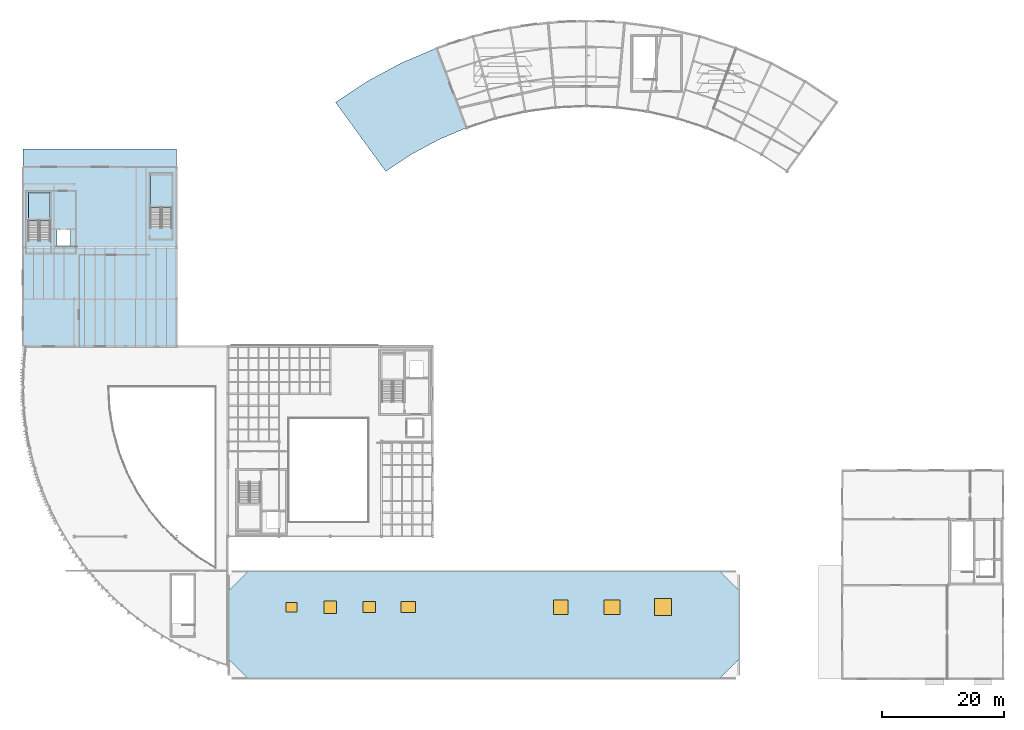
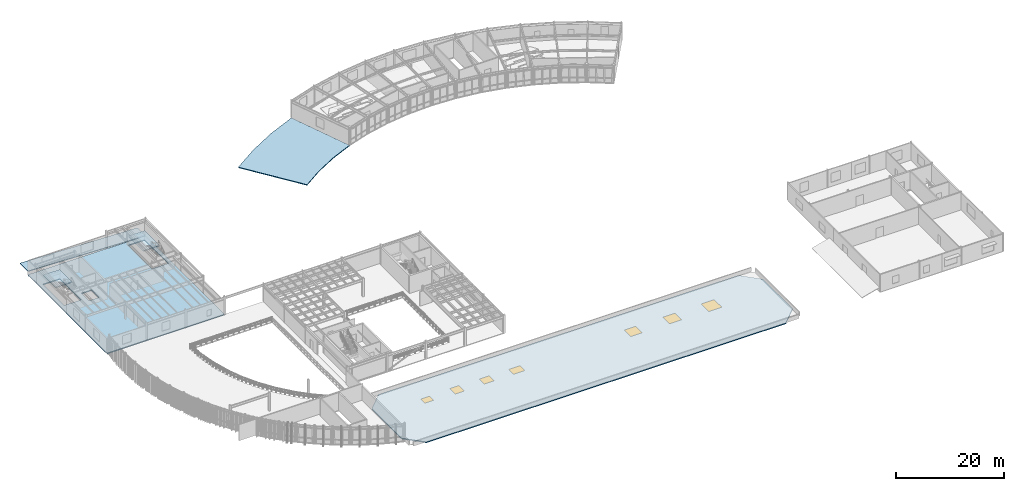
# One storey, part 31 of 54: 7 windows, 6 slabs, 7 openings, 2 elements without a shape of their own.
"""IFC4 building model written with IfcOpenShell, lengths in metres."""

from ifc_helpers import new_model, si_unit, direction, frame, origin, origin_2d, place, context, subcontext, project, spatial, polyline, rectangle, outline, extrude, material, layer, layer_set, type_object, element, fill, aggregate, save


model = new_model("IFC4")

# Units and contexts
model_context = context("Model", 3, precision=1e-05, world=origin(), true_north=direction((0.0, 1.0)))
body_context = subcontext(model_context, "Body", "Model", "MODEL_VIEW")
ifc_project = project(units=[si_unit("LENGTHUNIT", "METRE"), si_unit("AREAUNIT", "SQUARE_METRE"), si_unit("VOLUMEUNIT", "CUBIC_METRE"), si_unit("PLANEANGLEUNIT", "RADIAN"), si_unit("MASSUNIT", "GRAM", prefix="KILO")], contexts=[model_context])

# Site, building, storey
site_placement = place(None, origin())
site = spatial("IfcSite", under=ifc_project, at=site_placement, CompositionType="ELEMENT")
building_placement = place(site_placement, origin())
building = spatial("IfcBuilding", under=site, at=building_placement, Name="Selat Folded Stagehouse", CompositionType="ELEMENT")
storey_placement = place(building_placement, frame((0.0, 0.0, 15.0)))
storey = spatial("IfcBuildingStorey", under=building, at=storey_placement, Name="L03", CompositionType="ELEMENT", Elevation=15.0)

# Slabs
ifc_material_1 = material(Name="Concrete C40/50", Category="concrete")
ifc_layer_1 = layer(ifc_material_1, 0.219970703125)
ifc_layer_set_1 = layer_set([ifc_layer_1], Name="Concrete C40/50")
slab_type_1 = type_object("IfcSlabType", Name="SLAB-FLR-220", PredefinedType="FLOOR", material=ifc_layer_set_1)
slab_1_placement = place(storey_placement, frame((0.0, 0.0, -0.219970703125)))
element("IfcSlab", 1, at=slab_1_placement, inside=storey, type_object=slab_type_1, Name="L03 V4 floor slab SL-L03-V4", PredefinedType="FLOOR", context=body_context, shape_type="SweptSolid", body=[
    extrude(outline(polyline([(0.0, 54.60009765625), (25.199951171875, 54.60009765625), (25.199951171875, 84.0), (0.0, 84.0), (0.0, 54.60009765625)]), holes=[polyline([(7.75, 71.0), (5.550048828125, 71.0), (5.550048828125, 73.800048828125), (7.75, 73.800048828125), (7.75, 71.0)]), polyline([(0.85009765625, 72.0), (0.85009765625, 79.919921875), (4.449951171875, 79.919921875), (4.449951171875, 72.0), (0.85009765625, 72.0)]), polyline([(20.89990234375, 74.139892578125), (20.89990234375, 82.949951171875), (24.419921875, 82.949951171875), (24.419921875, 74.139892578125), (20.89990234375, 74.139892578125)])]), origin(), (0.0, 0.0, 1.0), 0.219970703125),
])
ifc_layer_2 = layer(ifc_material_1, 0.175048828125)
ifc_layer_set_2 = layer_set([ifc_layer_2], Name="Concrete C40/50")
slab_type_2 = type_object("IfcSlabType", Name="SLAB-ROOF-175", PredefinedType="ROOF", material=ifc_layer_set_2)
slab_2_placement = place(storey_placement, frame((0.0, 0.0, -0.175048828125)))
element("IfcSlab", 2, at=slab_2_placement, inside=storey, type_object=slab_type_2, Name="L03 V6 roof slab RF-L03-V6W", PredefinedType="ROOF", context=body_context, shape_type="SweptSolid", body=[
    extrude(outline(polyline([(59.48388671875, 83.304931640625), (63.677490234375, 86.072998046875), (68.1025390625, 88.454345703125), (72.722900390625, 90.42919921875), (67.8037109375, 103.536376953125), (62.028076171875, 101.06787109375), (56.4970703125, 98.09130859375), (51.2548828125, 94.631103515625), (59.48388671875, 83.304931640625)])), origin(), (0.0, 0.0, 1.0), 0.175048828125),
])

# Slab, openings, windows
ifc_layer_3 = layer(ifc_material_1, 0.22509765625)
ifc_layer_set_3 = layer_set([ifc_layer_3], Name="Concrete C40/50")
slab_type_3 = type_object("IfcSlabType", Name="SLAB-ROOF-225", PredefinedType="ROOF", material=ifc_layer_set_3)
slab_3_placement = place(storey_placement, frame((0.0, 0.0, -0.22509765625)))
slab_3 = element("IfcSlab", 3, at=slab_3_placement, inside=storey, type_object=slab_type_3, Name="L03 V5 roof slab RF-L03-V5-FOYER", PredefinedType="ROOF", context=body_context, shape_type="SweptSolid", body=[
    extrude(outline(polyline([(37.0, 0.0), (114.199951171875, 0.0), (117.60009765625, 3.39990234375), (117.60009765625, 14.39990234375), (114.199951171875, 17.800048828125), (37.0, 17.800048828125), (33.60009765625, 14.39990234375), (33.60009765625, 3.39990234375), (37.0, 0.0)])), origin(), (0.0, 0.0, 1.0), 0.22509765625),
])
opening_1_placement = place(slab_3_placement, frame((44.0, 11.800048828125, -0.010009765625)))
opening_1 = element("IfcOpeningElement", 4, at=opening_1_placement, cuts=slab_3, Name="Opening SK-07", PredefinedType="OPENING", context=body_context, shape_type="SweptSolid", body=[
    extrude(rectangle(XDim=1.800048828125, YDim=1.5, at=origin_2d()), origin(), (0.0, 0.0, 1.0), 0.2451171875),
])
opening_2_placement = place(slab_3_placement, frame((50.39990234375, 11.800048828125, -0.010009765625)))
opening_2 = element("IfcOpeningElement", 5, at=opening_2_placement, cuts=slab_3, Name="Opening SK-06", PredefinedType="OPENING", context=body_context, shape_type="SweptSolid", body=[
    extrude(rectangle(XDim=2.0, YDim=2.0, at=origin_2d()), origin(), (0.0, 0.0, 1.0), 0.2451171875),
])
opening_3_placement = place(slab_3_placement, frame((56.800048828125, 11.800048828125, -0.010009765625)))
opening_3 = element("IfcOpeningElement", 6, at=opening_3_placement, cuts=slab_3, Name="Opening SK-05", PredefinedType="OPENING", context=body_context, shape_type="SweptSolid", body=[
    extrude(rectangle(XDim=2.10009765625, YDim=1.800048828125, at=origin_2d()), origin(), (0.0, 0.0, 1.0), 0.2451171875),
])
opening_4_placement = place(slab_3_placement, frame((63.199951171875, 11.800048828125, -0.010009765625)))
opening_4 = element("IfcOpeningElement", 7, at=opening_4_placement, cuts=slab_3, Name="Opening SK-04", PredefinedType="OPENING", context=body_context, shape_type="SweptSolid", body=[
    extrude(rectangle(XDim=2.39990234375, YDim=1.800048828125, at=origin_2d()), origin(), (0.0, 0.0, 1.0), 0.2451171875),
])
opening_5_placement = place(slab_3_placement, frame((88.199951171875, 11.800048828125, -0.010009765625)))
opening_5 = element("IfcOpeningElement", 8, at=opening_5_placement, cuts=slab_3, Name="Opening SK-03", PredefinedType="OPENING", context=body_context, shape_type="SweptSolid", body=[
    extrude(rectangle(XDim=2.39990234375, YDim=2.39990234375, at=origin_2d()), origin(), (0.0, 0.0, 1.0), 0.2451171875),
])
opening_6_placement = place(slab_3_placement, frame((96.60009765625, 11.800048828125, -0.010009765625)))
opening_6 = element("IfcOpeningElement", 9, at=opening_6_placement, cuts=slab_3, Name="Opening SK-02", PredefinedType="OPENING", context=body_context, shape_type="SweptSolid", body=[
    extrude(rectangle(XDim=2.60009765625, YDim=2.39990234375, at=origin_2d()), origin(), (0.0, 0.0, 1.0), 0.2451171875),
])
opening_7_placement = place(slab_3_placement, frame((105.0, 11.800048828125, -0.010009765625)))
opening_7 = element("IfcOpeningElement", 10, at=opening_7_placement, cuts=slab_3, Name="Opening SK-01", PredefinedType="OPENING", context=body_context, shape_type="SweptSolid", body=[
    extrude(rectangle(XDim=2.800048828125, YDim=2.800048828125, at=origin_2d()), origin(), (0.0, 0.0, 1.0), 0.2451171875),
])
ifc_material_2 = material(Name="Laminated solar-control skylight glazing", Category="glass")
window_type_1 = type_object("IfcWindowType", Name="SKY-RF-1800x1500", PartitioningType="SINGLE_PANEL", PredefinedType="SKYLIGHT", material=ifc_material_2)
window_1_placement = place(slab_3_placement, frame((44.0, 11.800048828125, 0.1650390625)))
window_1 = element("IfcWindow", 11, at=window_1_placement, inside=storey, type_object=window_type_1, Name="Foyer roof skylight 01", OverallHeight=1.5, OverallWidth=1.800048828125, PartitioningType="SINGLE_PANEL", PredefinedType="SKYLIGHT", context=body_context, shape_type="SweptSolid", body=[
    extrude(rectangle(XDim=1.800048828125, YDim=1.5, at=origin_2d()), origin(), (0.0, 0.0, 1.0), 0.06005859375),
])
fill(opening_1, window_1)
window_type_2 = type_object("IfcWindowType", Name="SKY-RF-2000x2000", PartitioningType="SINGLE_PANEL", PredefinedType="SKYLIGHT", material=ifc_material_2)
window_2_placement = place(slab_3_placement, frame((50.39990234375, 11.800048828125, 0.1650390625)))
window_2 = element("IfcWindow", 12, at=window_2_placement, inside=storey, type_object=window_type_2, Name="Foyer roof skylight 02", OverallHeight=2.0, OverallWidth=2.0, PartitioningType="SINGLE_PANEL", PredefinedType="SKYLIGHT", context=body_context, shape_type="SweptSolid", body=[
    extrude(rectangle(XDim=2.0, YDim=2.0, at=origin_2d()), origin(), (0.0, 0.0, 1.0), 0.06005859375),
])
fill(opening_2, window_2)
window_type_3 = type_object("IfcWindowType", Name="SKY-RF-2100x1800", PartitioningType="SINGLE_PANEL", PredefinedType="SKYLIGHT", material=ifc_material_2)
window_3_placement = place(slab_3_placement, frame((56.800048828125, 11.800048828125, 0.1650390625)))
window_3 = element("IfcWindow", 13, at=window_3_placement, inside=storey, type_object=window_type_3, Name="Foyer roof skylight 03", OverallHeight=1.800048828125, OverallWidth=2.10009765625, PartitioningType="SINGLE_PANEL", PredefinedType="SKYLIGHT", context=body_context, shape_type="SweptSolid", body=[
    extrude(rectangle(XDim=2.10009765625, YDim=1.800048828125, at=origin_2d()), origin(), (0.0, 0.0, 1.0), 0.06005859375),
])
fill(opening_3, window_3)
window_type_4 = type_object("IfcWindowType", Name="SKY-RF-2400x1800", PartitioningType="SINGLE_PANEL", PredefinedType="SKYLIGHT", material=ifc_material_2)
window_4_placement = place(slab_3_placement, frame((63.199951171875, 11.800048828125, 0.1650390625)))
window_4 = element("IfcWindow", 14, at=window_4_placement, inside=storey, type_object=window_type_4, Name="Foyer roof skylight 04", OverallHeight=1.800048828125, OverallWidth=2.39990234375, PartitioningType="SINGLE_PANEL", PredefinedType="SKYLIGHT", context=body_context, shape_type="SweptSolid", body=[
    extrude(rectangle(XDim=2.39990234375, YDim=1.800048828125, at=origin_2d()), origin(), (0.0, 0.0, 1.0), 0.06005859375),
])
fill(opening_4, window_4)
window_type_5 = type_object("IfcWindowType", Name="SKY-RF-2400x2400", PartitioningType="SINGLE_PANEL", PredefinedType="SKYLIGHT", material=ifc_material_2)
window_5_placement = place(slab_3_placement, frame((88.199951171875, 11.800048828125, 0.1650390625)))
window_5 = element("IfcWindow", 15, at=window_5_placement, inside=storey, type_object=window_type_5, Name="Foyer roof skylight 05", OverallHeight=2.39990234375, OverallWidth=2.39990234375, PartitioningType="SINGLE_PANEL", PredefinedType="SKYLIGHT", context=body_context, shape_type="SweptSolid", body=[
    extrude(rectangle(XDim=2.39990234375, YDim=2.39990234375, at=origin_2d()), origin(), (0.0, 0.0, 1.0), 0.06005859375),
])
fill(opening_5, window_5)
window_type_6 = type_object("IfcWindowType", Name="SKY-RF-2600x2400", PartitioningType="SINGLE_PANEL", PredefinedType="SKYLIGHT", material=ifc_material_2)
window_6_placement = place(slab_3_placement, frame((96.60009765625, 11.800048828125, 0.1650390625)))
window_6 = element("IfcWindow", 16, at=window_6_placement, inside=storey, type_object=window_type_6, Name="Foyer roof skylight 06", OverallHeight=2.39990234375, OverallWidth=2.60009765625, PartitioningType="SINGLE_PANEL", PredefinedType="SKYLIGHT", context=body_context, shape_type="SweptSolid", body=[
    extrude(rectangle(XDim=2.60009765625, YDim=2.39990234375, at=origin_2d()), origin(), (0.0, 0.0, 1.0), 0.06005859375),
])
fill(opening_6, window_6)
window_type_7 = type_object("IfcWindowType", Name="SKY-RF-2800x2800", PartitioningType="SINGLE_PANEL", PredefinedType="SKYLIGHT", material=ifc_material_2)
window_7_placement = place(slab_3_placement, frame((105.0, 11.800048828125, 0.1650390625)))
window_7 = element("IfcWindow", 17, at=window_7_placement, inside=storey, type_object=window_type_7, Name="Foyer roof skylight 07", OverallHeight=2.800048828125, OverallWidth=2.800048828125, PartitioningType="SINGLE_PANEL", PredefinedType="SKYLIGHT", context=body_context, shape_type="SweptSolid", body=[
    extrude(rectangle(XDim=2.800048828125, YDim=2.800048828125, at=origin_2d()), origin(), (0.0, 0.0, 1.0), 0.06005859375),
])
fill(opening_7, window_7)

# Slab
ifc_layer_4 = layer(ifc_material_1, 0.155029296875)
ifc_layer_set_4 = layer_set([ifc_layer_4], Name="Concrete C40/50")
slab_type_4 = type_object("IfcSlabType", Name="SLAB-ROOF-ST155", PredefinedType="ROOF", material=ifc_layer_set_4)
slab_4_placement = place(storey_placement, frame((0.0, 84.0, 0.800048828125), z_axis=(0.031732042956, 0.0, 0.999496411924), x_axis=(0.999496411924, 0.0, -0.031732042956)))
element("IfcSlab", 18, at=slab_4_placement, inside=storey, type_object=slab_type_4, Name="Sloped folded-plate roof facet RF-V4-NORTH", PredefinedType="ROOF", context=body_context, shape_type="SweptSolid", body=[
    extrude(outline(polyline([(0.0, 0.0), (25.21264796074122, 0.0), (25.21264796074122, 3.0), (0.0, 3.0), (0.0, 0.0)])), origin(), (0.0, 0.0, -1.0), 0.155029296875),
])

# Stair, slab
stair_type_1 = type_object("IfcStairType", Name="STR-DOG-1720-26R", PredefinedType="HALF_TURN_STAIR", material=ifc_material_1)
stair_1_placement = place(storey_placement, origin())
stair_1 = element("IfcStair", 19, at=stair_1_placement, inside=storey, type_object=stair_type_1, Name="L03 Core 5 Black-Box West Core", PredefinedType="HALF_TURN_STAIR")
ifc_layer_5 = layer(ifc_material_1, 0.199951171875)
ifc_layer_set_5 = layer_set([ifc_layer_5], Name="Concrete C40/50")
slab_type_5 = type_object("IfcSlabType", Name="SLAB-STR-LDG-200", PredefinedType="LANDING", material=ifc_layer_set_5)
slab_5_placement = place(storey_placement, frame((0.0, 0.0, 1.89990234375)))
slab_5 = element("IfcSlab", 20, at=slab_5_placement, type_object=slab_type_5, Name="ST-1720-26R landing 1", PredefinedType="LANDING", context=body_context, shape_type="SweptSolid", body=[
    extrude(outline(polyline([(4.449951171875, 75.260009765625), (4.449951171875, 79.919921875), (0.85009765625, 79.919921875), (0.85009765625, 75.260009765625), (4.449951171875, 75.260009765625)])), origin(), (0.0, 0.0, 1.0), 0.2001953125),
])
aggregate(stair_1, [slab_5])

stair_type_2 = type_object("IfcStairType", Name="STR-DOG-1680-26R", PredefinedType="HALF_TURN_STAIR", material=ifc_material_1)
stair_2_placement = place(storey_placement, origin())
stair_2 = element("IfcStair", 21, at=stair_2_placement, inside=storey, type_object=stair_type_2, Name="L03 Backstage Technical Stair ST-07", PredefinedType="HALF_TURN_STAIR")
slab_6_placement = place(storey_placement, frame((0.0, 0.0, 1.89990234375)))
slab_6 = element("IfcSlab", 22, at=slab_6_placement, type_object=slab_type_5, Name="ST-1680-26R landing 1", PredefinedType="LANDING", context=body_context, shape_type="SweptSolid", body=[
    extrude(outline(polyline([(24.419921875, 77.39990234375), (24.419921875, 82.949951171875), (20.89990234375, 82.949951171875), (20.89990234375, 77.39990234375), (24.419921875, 77.39990234375)])), origin(), (0.0, 0.0, 1.0), 0.2001953125),
])
aggregate(stair_2, [slab_6])

save(model, "model.ifc")
